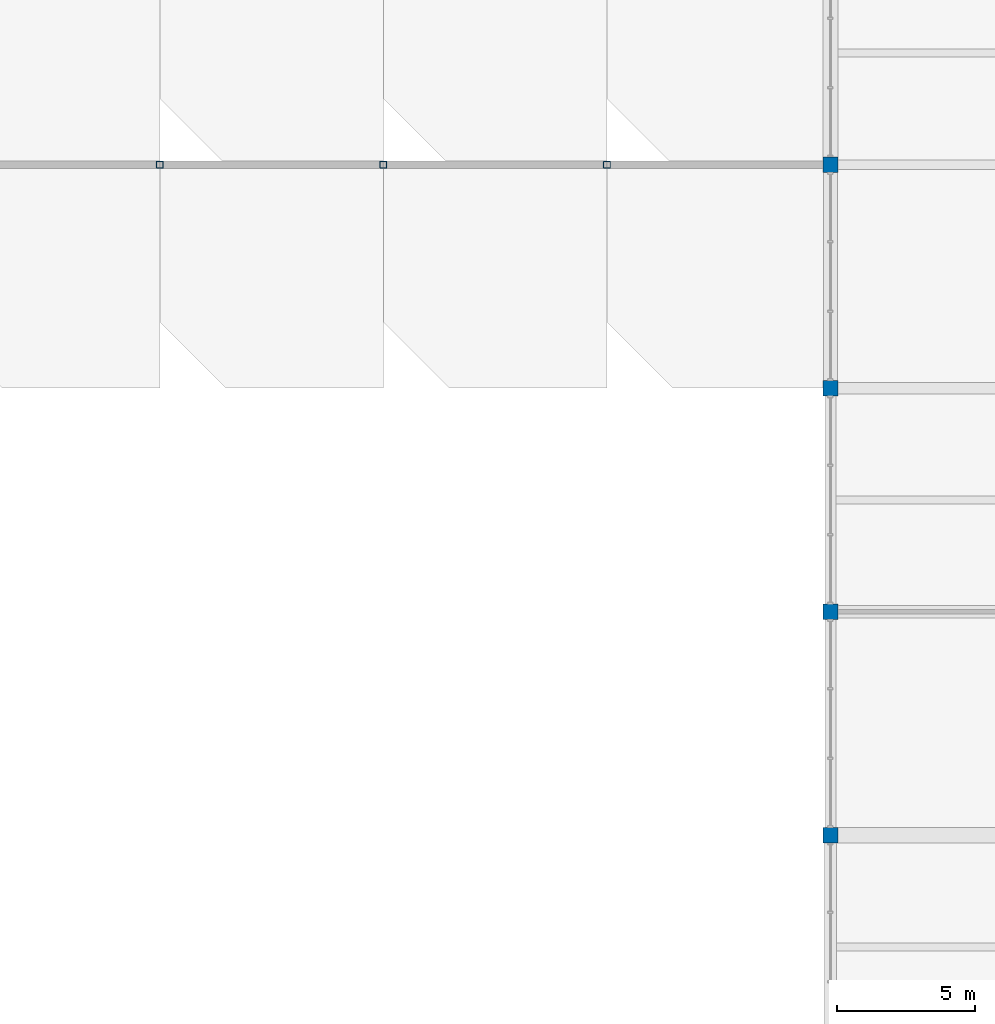
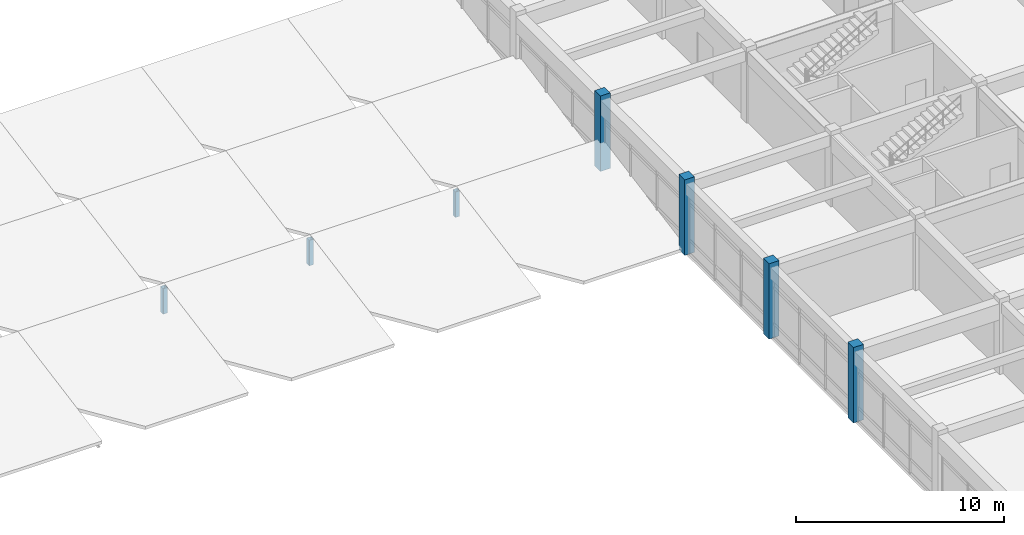
# One storey, part 7 of 33: 7 columns.
"""IFC4 building model written with IfcOpenShell, lengths in metres."""

from ifc_helpers import new_model, si_unit, direction, frame, origin, origin_2d, place, context, subcontext, project, spatial, rectangle, hollow_rectangle, extrude, material, material_profile, profile_set, type_object, element, save


model = new_model("IFC4")

# Units and contexts
model_context = context("Model", 3, precision=1e-05, world=origin(), true_north=direction((0.0, 1.0)))
body_context = subcontext(model_context, "Body", "Model", "MODEL_VIEW")
ifc_project = project(units=[si_unit("LENGTHUNIT", "METRE"), si_unit("AREAUNIT", "SQUARE_METRE"), si_unit("VOLUMEUNIT", "CUBIC_METRE"), si_unit("PLANEANGLEUNIT", "RADIAN"), si_unit("MASSUNIT", "GRAM", prefix="KILO")], contexts=[model_context])

# Site, building, storey
site_placement = place(None, origin())
site = spatial("IfcSite", under=ifc_project, at=site_placement, CompositionType="ELEMENT")
building_placement = place(site_placement, origin())
building = spatial("IfcBuilding", under=site, at=building_placement, Name="Vaudrelin Polytechnic", CompositionType="ELEMENT")
storey_placement = place(building_placement, frame((0.0, 0.0, 27.3701171875)))
storey = spatial("IfcBuildingStorey", under=building, at=storey_placement, Name="L06", CompositionType="ELEMENT", Elevation=27.3701171875)

# Columns
ifc_material_1 = material(Name="Steel CSA G40.21 350W", Category="steel")
ifc_material_profile_1 = material_profile(ifc_material_1, hollow_rectangle(XDim=0.25390625, YDim=0.25390625, WallThickness=0.0126953125, InnerFilletRadius=0.0126953125, OuterFilletRadius=0.025390625, at=origin_2d()), Name="HSS254x254x12.7")
ifc_profile_set_1 = profile_set([ifc_material_profile_1], Name="Steel CSA G40.21 350W")
column_type_1 = type_object("IfcColumnType", Name="COL-C-HSS254", PredefinedType="COLUMN", material=ifc_profile_set_1)
for number, where, z_axis, x_axis, name in (
    (1, (113.39990234375, 105.300048828125, 0.0), (0.0, 0.0, 1.0), (1.0, 0.0, 0.0), "Sawtooth north clerestory post 14-13"),
    (2, (121.5, 105.300048828125, 0.0), (0.0, 0.0, 1.0), (1.0, 0.0, 0.0), "Sawtooth north clerestory post 15-13"),
    (3, (129.60009765625, 105.300048828125, 0.0), (0.0, 0.0, 1.0), (1.0, 0.0, 0.0), "Sawtooth north clerestory post 16-13"),
):
    element("IfcColumn", number, at=place(storey_placement, frame(where, z_axis=z_axis, x_axis=x_axis)), inside=storey, type_object=column_type_1, Name=name, PredefinedType="COLUMN", context=body_context, shape_type="SweptSolid", body=[
        extrude(hollow_rectangle(XDim=0.25390625, YDim=0.25390625, WallThickness=0.0126953125, InnerFilletRadius=0.0126953125, OuterFilletRadius=0.025390625, at=origin_2d()), origin(), (0.0, 0.0, 1.0), 1.490966796875),
    ])
ifc_material_2 = material(Name="Concrete 40 MPa", Category="concrete")
ifc_material_profile_2 = material_profile(ifc_material_2, rectangle(XDim=0.550048828125, YDim=0.550048828125, at=origin_2d()), Name="RC550x550")
ifc_profile_set_2 = profile_set([ifc_material_profile_2], Name="Concrete 40 MPa")
column_type_2 = type_object("IfcColumnType", Name="COL-C-RC550", PredefinedType="COLUMN", material=ifc_profile_set_2)
for number, where, z_axis, x_axis, name in (
    (4, (137.699951171875, 81.0, 0.0), (0.0, 0.0, 1.0), (1.0, 0.0, 0.0), "Column L06 18-11"),
    (5, (137.699951171875, 89.10009765625, 0.0), (0.0, 0.0, 1.0), (1.0, 0.0, 0.0), "Column L06 18-12"),
    (6, (137.699951171875, 97.199951171875, 0.0), (0.0, 0.0, 1.0), (1.0, 0.0, 0.0), "Column L06 18-13"),
    (7, (137.699951171875, 105.300048828125, 0.0), (0.0, 0.0, 1.0), (1.0, 0.0, 0.0), "Column L06 18-14"),
):
    element("IfcColumn", number, at=place(storey_placement, frame(where, z_axis=z_axis, x_axis=x_axis)), inside=storey, type_object=column_type_2, Name=name, PredefinedType="COLUMN", context=body_context, shape_type="SweptSolid", body=[
        extrude(rectangle(XDim=0.550048828125, YDim=0.550048828125, at=origin_2d()), origin(), (0.0, 0.0, 1.0), 4.419921875),
    ])

save(model, "model.ifc")
